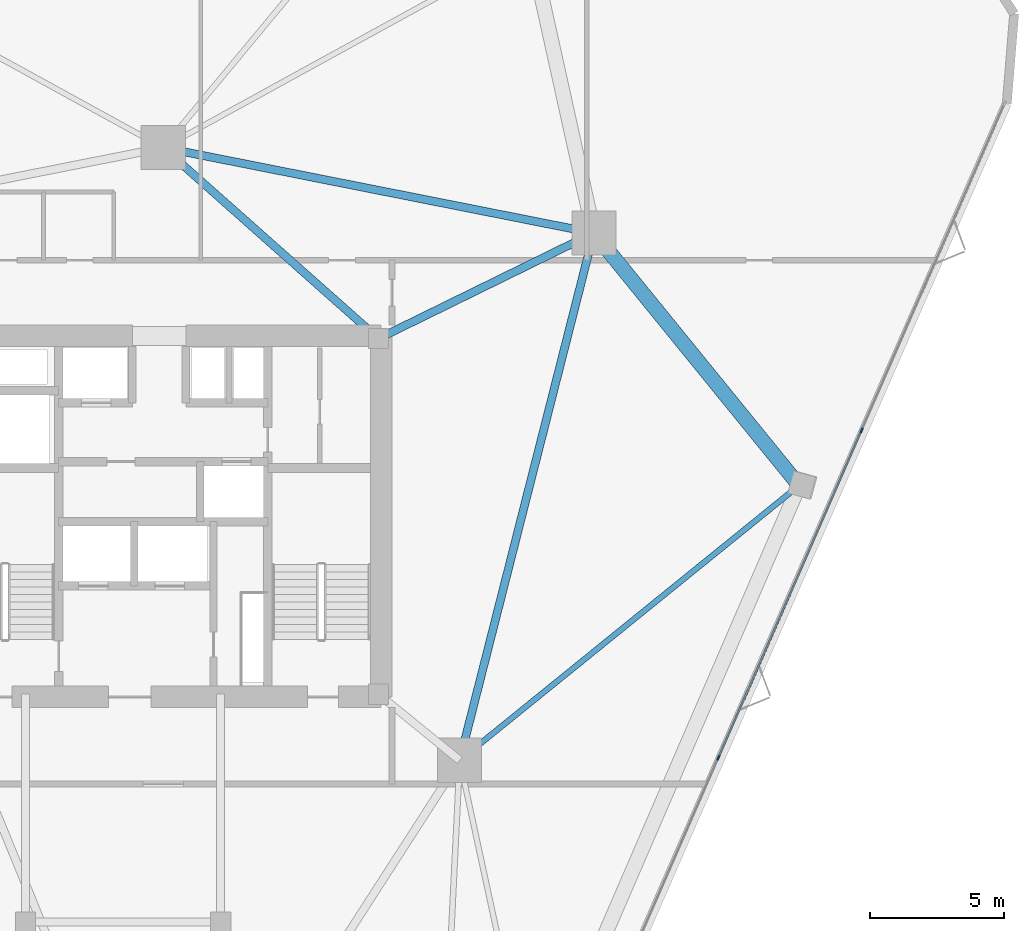
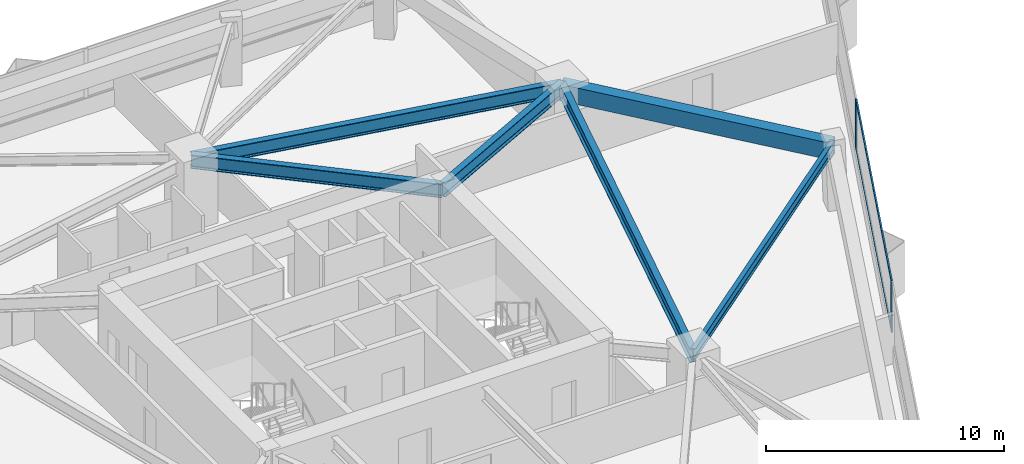
# One storey, part 9 of 19: 6 beams, 4 members, 1 element without a shape of its own.
"""IFC4 building model written with IfcOpenShell, lengths in metres."""

from ifc_helpers import new_model, si_unit, direction, frame, origin, origin_2d, place, context, subcontext, project, spatial, rectangle, i_section, extrude, material, layer, layer_set, material_profile, profile_set, type_object, element, aggregate, save


model = new_model("IFC4")

# Units and contexts
model_context = context("Model", 3, precision=1e-05, world=origin(), true_north=direction((0.0, 1.0)))
body_context = subcontext(model_context, "Body", "Model", "MODEL_VIEW")
ifc_project = project(units=[si_unit("LENGTHUNIT", "METRE"), si_unit("AREAUNIT", "SQUARE_METRE"), si_unit("VOLUMEUNIT", "CUBIC_METRE"), si_unit("PLANEANGLEUNIT", "RADIAN"), si_unit("MASSUNIT", "GRAM", prefix="KILO")], contexts=[model_context])

# Site, building, storey
site_placement = place(None, origin())
site = spatial("IfcSite", under=ifc_project, at=site_placement, CompositionType="ELEMENT")
building_placement = place(site_placement, origin())
building = spatial("IfcBuilding", under=site, at=building_placement, Name="Talyreon Biosciences Tower", CompositionType="ELEMENT")
storey_placement = place(building_placement, frame((0.0, 0.0, 85.949951171875)))
storey = spatial("IfcBuildingStorey", under=building, at=storey_placement, Name="L22", CompositionType="ELEMENT", Elevation=85.949951171875)

# Curtain wall, members
ifc_material_1 = material(Name="Thermally broken aluminium and low-E glazing", Category="aluminium")
ifc_layer = layer(ifc_material_1, 0.18994140625)
ifc_layer_set = layer_set([ifc_layer], Name="Thermally broken aluminium and low-E glazing")
curtain_wall_type = type_object("IfcCurtainWallType", Name="CurtainWall_Zone2Genomics", PredefinedType="NOTDEFINED", material=ifc_layer_set)
curtain_wall_placement = place(storey_placement, origin())
curtain_wall = element("IfcCurtainWall", 1, at=curtain_wall_placement, inside=storey, type_object=curtain_wall_type, Name="L22 Unitised Curtain Wall FCW-L22-08", PredefinedType="NOTDEFINED")
ifc_material_2 = material(Name="Anodised thermally broken aluminium", Category="aluminium")
ifc_material_profile_1 = material_profile(ifc_material_2, rectangle(XDim=0.06494140625, YDim=0.179931640625, at=origin_2d()), Name="ALUM MULLION 65x180")
ifc_profile_set_1 = profile_set([ifc_material_profile_1], Name="Anodised thermally broken aluminium")
member_type_1 = type_object("IfcMemberType", Name="CWMullion_65x180", PredefinedType="MULLION", material=ifc_profile_set_1)
member_1_placement = place(storey_placement, frame((92.11865234375, 71.2197265625, 0.81005859375), z_axis=(0.0, 0.0, 1.0), x_axis=(0.916213942072, -0.400689421314, 0.0)))
member_1 = element("IfcMember", 2, at=member_1_placement, type_object=member_type_1, Name="CW3 mullion 2", PredefinedType="MULLION", context=body_context, shape_type="SweptSolid", body=[
    extrude(rectangle(XDim=0.06494140625, YDim=0.179931640625, at=origin_2d()), origin(), (0.0, 0.0, 1.0), 2.56494140625),
])
member_2_placement = place(storey_placement, frame((86.76171875, 58.970703125, 0.81005859375), z_axis=(0.0, 0.0, 1.0), x_axis=(0.916213942072, -0.400689421314, 0.0)))
member_2 = element("IfcMember", 3, at=member_2_placement, type_object=member_type_1, Name="CW3 mullion 3", PredefinedType="MULLION", context=body_context, shape_type="SweptSolid", body=[
    extrude(rectangle(XDim=0.06494140625, YDim=0.179931640625, at=origin_2d()), origin(), (0.0, 0.0, 1.0), 2.56494140625),
])
ifc_material_profile_2 = material_profile(ifc_material_2, rectangle(XDim=0.06494140625, YDim=0.139892578125, at=origin_2d()), Name="ALUM TRANSOM 65x140")
ifc_profile_set_2 = profile_set([ifc_material_profile_2], Name="Anodised thermally broken aluminium")
member_type_2 = type_object("IfcMemberType", Name="CWTransom_65x140", PredefinedType="USERDEFINED", material=ifc_profile_set_2)
member_3_placement = place(storey_placement, frame((92.105712890625, 71.18994140625, 0.842529296875), z_axis=(-0.40068790809, -0.916214603852, 0.0), x_axis=(0.916214603852, -0.40068790809, 0.0)))
member_3 = element("IfcMember", 4, at=member_3_placement, type_object=member_type_2, Name="CW3 transom 2.1", ObjectType="TRANSOM", PredefinedType="USERDEFINED", context=body_context, shape_type="SweptSolid", body=[
    extrude(rectangle(XDim=0.06494140625, YDim=0.139892578125, at=origin_2d()), origin(), (0.0, 0.0, 1.0), 13.30419921875),
])
member_4_placement = place(storey_placement, frame((92.105712890625, 71.18994140625, 3.342529296875), z_axis=(-0.40068790809, -0.916214603852, 0.0), x_axis=(0.916214603852, -0.40068790809, 0.0)))
member_4 = element("IfcMember", 5, at=member_4_placement, type_object=member_type_2, Name="CW3 transom 2.2", ObjectType="TRANSOM", PredefinedType="USERDEFINED", context=body_context, shape_type="SweptSolid", body=[
    extrude(rectangle(XDim=0.06494140625, YDim=0.139892578125, at=origin_2d()), origin(), (0.0, 0.0, 1.0), 13.30419921875),
])
aggregate(curtain_wall, [member_1, member_2, member_3, member_4])

# Beams
ifc_material_3 = material(Name="Precast concrete C45/55", Category="concrete")
ifc_material_profile_3 = material_profile(ifc_material_3, rectangle(XDim=0.550048828125, YDim=0.85009765625, at=origin_2d()), Name="RCB 550x850")
ifc_profile_set_3 = profile_set([ifc_material_profile_3], Name="Precast concrete C45/55")
beam_type_1 = type_object("IfcBeamType", Name="ExpressedSpandrel_550x850", PredefinedType="SPANDREL", material=ifc_profile_set_3)
beam_1_placement = place(storey_placement, frame((89.78076171875, 69.156982421875, 2.949951171875), z_axis=(-0.630945259734, 0.775827351425, 0.0), x_axis=(-0.775827351425, -0.630945259734, 0.0)))
element("IfcBeam", 6, at=beam_1_placement, inside=storey, type_object=beam_type_1, Name="L22 Expressed Horizontal Concrete Spandrel 04", PredefinedType="SPANDREL", context=body_context, shape_type="SweptSolid", body=[
    extrude(rectangle(XDim=0.550048828125, YDim=0.85009765625, at=origin_2d()), origin(), (0.0, 0.0, 1.0), 12.169677734375),
])
ifc_material_4 = material(Name="Steel SM355", Category="steel")
ifc_material_profile_4 = material_profile(ifc_material_4, i_section(OverallWidth=0.300048828125, OverallDepth=0.699951171875, WebThickness=0.01708984375, FlangeThickness=0.031982421875, FilletRadius=0.027099609375, at=origin_2d()), Name="HE700B")
ifc_profile_set_4 = profile_set([ifc_material_profile_4], Name="Steel SM355")
beam_type_2 = type_object("IfcBeamType", Name="SteelGirder_HE700B", PredefinedType="BEAM", material=ifc_profile_set_4)
beam_2_placement = place(storey_placement, frame((77.086181640625, 58.88037109375, 3.025146484375), z_axis=(0.246537082299, 0.969133358755, 0.0), x_axis=(-0.969133358755, 0.246537082299, 0.0)))
element("IfcBeam", 7, at=beam_2_placement, inside=storey, type_object=beam_type_2, Name="L22 Mega-Ring Girder 2", PredefinedType="BEAM", context=body_context, shape_type="SweptSolid", body=[
    extrude(i_section(OverallWidth=0.300048828125, OverallDepth=0.699951171875, WebThickness=0.01708984375, FlangeThickness=0.031982421875, FilletRadius=0.027099609375, at=origin_2d()), origin(), (0.0, 0.0, 1.0), 20.34619140625),
])
beam_3_placement = place(storey_placement, frame((82.102294921875, 78.5986328125, 3.025146484375), z_axis=(-0.980933730698, 0.194342522311, 0.0), x_axis=(-0.194342522311, -0.980933730698, 0.0)))
element("IfcBeam", 8, at=beam_3_placement, inside=storey, type_object=beam_type_2, Name="L22 Mega-Ring Girder 3", PredefinedType="BEAM", context=body_context, shape_type="SweptSolid", body=[
    extrude(i_section(OverallWidth=0.300048828125, OverallDepth=0.699951171875, WebThickness=0.01708984375, FlangeThickness=0.031982421875, FilletRadius=0.027099609375, at=origin_2d()), origin(), (0.0, 0.0, 1.0), 16.415283203125),
])
beam_4_placement = place(storey_placement, frame((74.050048828125, 74.64990234375, 3.025146484375), z_axis=(0.897852360314, 0.440296648952, 0.0), x_axis=(-0.440296648952, 0.897852360314, 0.0)))
element("IfcBeam", 9, at=beam_4_placement, inside=storey, type_object=beam_type_2, Name="L22 Radial Primary Girder 3", PredefinedType="BEAM", context=body_context, shape_type="SweptSolid", body=[
    extrude(i_section(OverallWidth=0.300048828125, OverallDepth=0.699951171875, WebThickness=0.01708984375, FlangeThickness=0.031982421875, FilletRadius=0.027099609375, at=origin_2d()), origin(), (0.0, 0.0, 1.0), 8.96826171875),
])
beam_5_placement = place(storey_placement, frame((74.050048828125, 74.64990234375, 3.025146484375), z_axis=(-0.748178733955, 0.663497235908, 0.0), x_axis=(-0.663497235908, -0.748178733955, 0.0)))
element("IfcBeam", 10, at=beam_5_placement, inside=storey, type_object=beam_type_2, Name="L22 Radial Primary Girder 4", PredefinedType="BEAM", context=body_context, shape_type="SweptSolid", body=[
    extrude(i_section(OverallWidth=0.300048828125, OverallDepth=0.699951171875, WebThickness=0.01708984375, FlangeThickness=0.031982421875, FilletRadius=0.027099609375, at=origin_2d()), origin(), (0.0, 0.0, 1.0), 10.759521484375),
])
ifc_material_profile_5 = material_profile(ifc_material_4, i_section(OverallWidth=0.2099609375, OverallDepth=0.550048828125, WebThickness=0.010986328125, FlangeThickness=0.01708984375, FilletRadius=0.02392578125, at=origin_2d()), Name="IPE550")
ifc_profile_set_5 = profile_set([ifc_material_profile_5], Name="Steel SM355")
beam_type_3 = type_object("IfcBeamType", Name="SteelJoist_IPE550", PredefinedType="JOIST", material=ifc_profile_set_5)
beam_6_placement = place(storey_placement, frame((77.086181640625, 58.88037109375, 3.10009765625), z_axis=(0.777243478303, 0.629199948693, 0.0), x_axis=(-0.629199948693, 0.777243478303, 0.0)))
element("IfcBeam", 11, at=beam_6_placement, inside=storey, type_object=beam_type_3, Name="L22 Radial Composite Floor Joist PC-SE2", PredefinedType="JOIST", context=body_context, shape_type="SweptSolid", body=[
    extrude(i_section(OverallWidth=0.2099609375, OverallDepth=0.550048828125, WebThickness=0.010986328125, FlangeThickness=0.01708984375, FilletRadius=0.02392578125, at=origin_2d()), origin(), (0.0, 0.0, 1.0), 16.332763671875),
])

save(model, "model.ifc")
